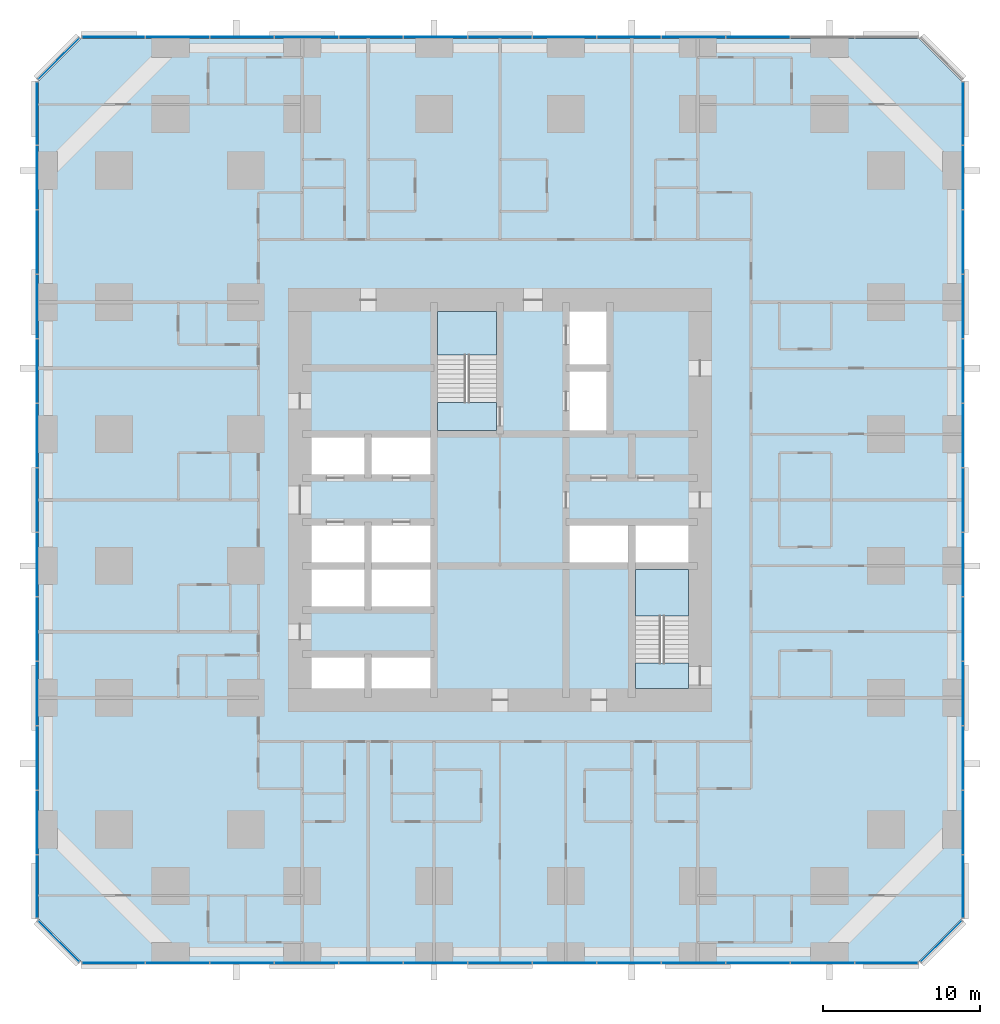
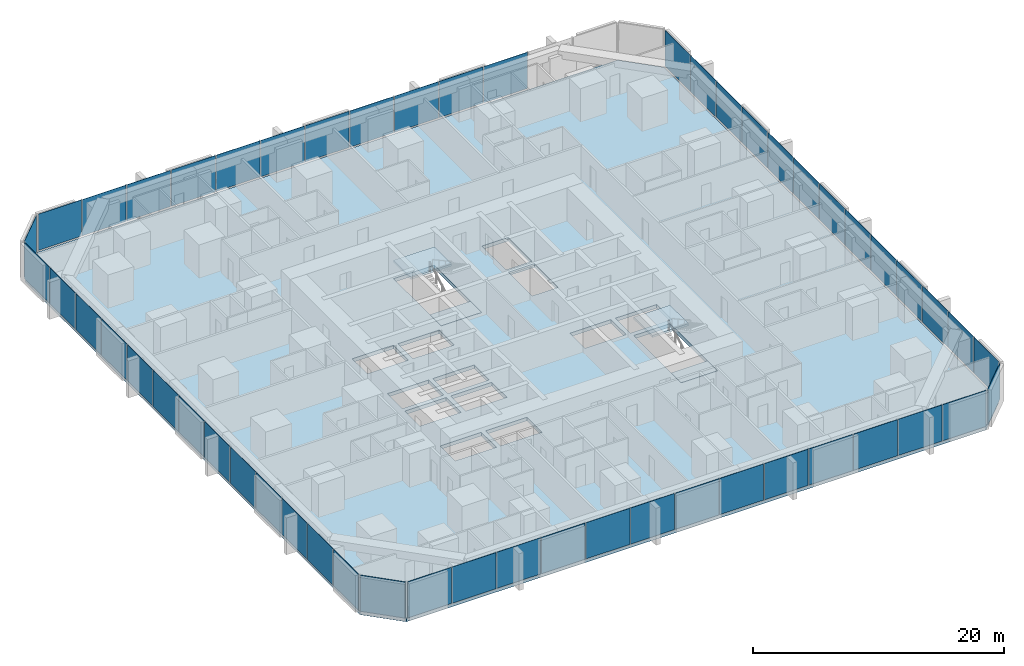
# One storey, part 9 of 17: 53 plates, 5 slabs, 9 elements without a shape of their own.
"""IFC4 building model written with IfcOpenShell, lengths in metres."""

from ifc_helpers import new_model, si_unit, direction, frame, origin, origin_2d, place, context, subcontext, project, spatial, polyline, rectangle, outline, extrude, material, layer, layer_set, type_object, element, aggregate, save


model = new_model("IFC4")

# Units and contexts
model_context = context("Model", 3, precision=1e-05, world=origin(), true_north=direction((0.0, 1.0)))
body_context = subcontext(model_context, "Body", "Model", "MODEL_VIEW")
ifc_project = project(units=[si_unit("LENGTHUNIT", "METRE"), si_unit("AREAUNIT", "SQUARE_METRE"), si_unit("VOLUMEUNIT", "CUBIC_METRE"), si_unit("PLANEANGLEUNIT", "RADIAN"), si_unit("MASSUNIT", "GRAM", prefix="KILO")], contexts=[model_context])

# Site, building, storey
site_placement = place(None, origin())
site = spatial("IfcSite", under=ifc_project, at=site_placement, CompositionType="ELEMENT")
building_placement = place(site_placement, origin())
building = spatial("IfcBuilding", under=site, at=building_placement, Name="Dunama Terrace Hotel", CompositionType="ELEMENT")
storey_placement = place(building_placement, frame((0.0, 0.0, 81.0)))
storey = spatial("IfcBuildingStorey", under=building, at=storey_placement, Name="L20", CompositionType="ELEMENT", Elevation=81.0)

# Curtain wall, plates
ifc_material_1 = material(Name="Aluminium curtain wall system", Category="aluminium")
curtain_wall_type = type_object("IfcCurtainWallType", Name="Unitised fritted glass wall CW-A", PredefinedType="NOTDEFINED", material=ifc_material_1)
curtain_wall_1_placement = place(storey_placement, origin())
curtain_wall_1 = element("IfcCurtainWall", 1, at=curtain_wall_1_placement, inside=storey, type_object=curtain_wall_type, Name="Unitised fritted glass wall CW-A L20", PredefinedType="NOTDEFINED")
ifc_material_2 = material(Name="Laminated glass", Category="glass")
ifc_layer_1 = layer(ifc_material_2, 0.030029296875)
ifc_layer_set_1 = layer_set([ifc_layer_1], Name="CWA clear glass panel")
plate_type_1 = type_object("IfcPlateType", Name="CWA clear glass panel", PredefinedType="CURTAIN_PANEL", material=ifc_layer_set_1)
plate_1_placement = place(storey_placement, frame((8.862060546875, -0.10009765625, 0.074951171875), z_axis=(0.0, 0.0, 1.0), x_axis=(1.0, 0.0, 0.0)))
plate_1 = element("IfcPlate", 2, at=plate_1_placement, type_object=plate_type_1, Name="CWA clear glass panel", PredefinedType="CURTAIN_PANEL", context=body_context, shape_type="SweptSolid", body=[
    extrude(rectangle(XDim=4.042724609375, YDim=0.030029296875, at=origin_2d()), origin(), (0.0, 0.0, 1.0), 3.52490234375),
])
plate_2_placement = place(storey_placement, frame((21.18505859375, -0.10009765625, 0.074951171875), z_axis=(0.0, 0.0, 1.0), x_axis=(1.0, 0.0, 0.0)))
plate_2 = element("IfcPlate", 3, at=plate_2_placement, type_object=plate_type_1, Name="CWA clear glass panel", PredefinedType="CURTAIN_PANEL", context=body_context, shape_type="SweptSolid", body=[
    extrude(rectangle(XDim=4.042724609375, YDim=0.030029296875, at=origin_2d()), origin(), (0.0, 0.0, 1.0), 3.52490234375),
])
plate_3_placement = place(storey_placement, frame((33.508056640625, -0.10009765625, 0.074951171875), z_axis=(0.0, 0.0, 1.0), x_axis=(1.0, 0.0, 0.0)))
plate_3 = element("IfcPlate", 4, at=plate_3_placement, type_object=plate_type_1, Name="CWA clear glass panel", PredefinedType="CURTAIN_PANEL", context=body_context, shape_type="SweptSolid", body=[
    extrude(rectangle(XDim=4.042724609375, YDim=0.030029296875, at=origin_2d()), origin(), (0.0, 0.0, 1.0), 3.52490234375),
])
plate_4_placement = place(storey_placement, frame((45.8310546875, -0.10009765625, 0.074951171875), z_axis=(0.0, 0.0, 1.0), x_axis=(1.0, 0.0, 0.0)))
plate_4 = element("IfcPlate", 5, at=plate_4_placement, type_object=plate_type_1, Name="CWA clear glass panel", PredefinedType="CURTAIN_PANEL", context=body_context, shape_type="SweptSolid", body=[
    extrude(rectangle(XDim=4.042724609375, YDim=0.030029296875, at=origin_2d()), origin(), (0.0, 0.0, 1.0), 3.52490234375),
])

# Curtain wall, plate
curtain_wall_2_placement = place(storey_placement, origin())
curtain_wall_2 = element("IfcCurtainWall", 6, at=curtain_wall_2_placement, inside=storey, type_object=curtain_wall_type, Name="Unitised fritted glass wall CW-A L20", PredefinedType="NOTDEFINED")
plate_5_placement = place(storey_placement, frame((57.52099609375, 1.279052734375, 0.074951171875), z_axis=(0.0, 0.0, 1.0), x_axis=(0.707106781187, 0.707106781187, 0.0)))
plate_5 = element("IfcPlate", 7, at=plate_5_placement, type_object=plate_type_1, Name="CWA clear glass panel", PredefinedType="CURTAIN_PANEL", context=body_context, shape_type="SweptSolid", body=[
    extrude(rectangle(XDim=3.6884765625, YDim=0.030029296875, at=origin_2d()), origin(), (0.0, 0.0, 1.0), 3.52490234375),
])
aggregate(curtain_wall_2, [plate_5])

# Curtain wall, plates
curtain_wall_3_placement = place(storey_placement, origin())
curtain_wall_3 = element("IfcCurtainWall", 8, at=curtain_wall_3_placement, inside=storey, type_object=curtain_wall_type, Name="Unitised fritted glass wall CW-A L20", PredefinedType="NOTDEFINED")
plate_6_placement = place(storey_placement, frame((58.89990234375, 12.968994140625, 0.074951171875), z_axis=(0.0, 0.0, 1.0), x_axis=(0.0, 1.0, 0.0)))
plate_6 = element("IfcPlate", 9, at=plate_6_placement, type_object=plate_type_1, Name="CWA clear glass panel", PredefinedType="CURTAIN_PANEL", context=body_context, shape_type="SweptSolid", body=[
    extrude(rectangle(XDim=4.042724609375, YDim=0.030029296875, at=origin_2d()), origin(), (0.0, 0.0, 1.0), 3.52490234375),
])
plate_7_placement = place(storey_placement, frame((58.89990234375, 25.2919921875, 0.074951171875), z_axis=(0.0, 0.0, 1.0), x_axis=(0.0, 1.0, 0.0)))
plate_7 = element("IfcPlate", 10, at=plate_7_placement, type_object=plate_type_1, Name="CWA clear glass panel", PredefinedType="CURTAIN_PANEL", context=body_context, shape_type="SweptSolid", body=[
    extrude(rectangle(XDim=4.042724609375, YDim=0.030029296875, at=origin_2d()), origin(), (0.0, 0.0, 1.0), 3.52490234375),
])
plate_8_placement = place(storey_placement, frame((58.89990234375, 37.614990234375, 0.074951171875), z_axis=(0.0, 0.0, 1.0), x_axis=(0.0, 1.0, 0.0)))
plate_8 = element("IfcPlate", 11, at=plate_8_placement, type_object=plate_type_1, Name="CWA clear glass panel", PredefinedType="CURTAIN_PANEL", context=body_context, shape_type="SweptSolid", body=[
    extrude(rectangle(XDim=4.042724609375, YDim=0.030029296875, at=origin_2d()), origin(), (0.0, 0.0, 1.0), 3.52490234375),
])
plate_9_placement = place(storey_placement, frame((58.89990234375, 49.93798828125, 0.074951171875), z_axis=(0.0, 0.0, 1.0), x_axis=(0.0, 1.0, 0.0)))
plate_9 = element("IfcPlate", 12, at=plate_9_placement, type_object=plate_type_1, Name="CWA clear glass panel", PredefinedType="CURTAIN_PANEL", context=body_context, shape_type="SweptSolid", body=[
    extrude(rectangle(XDim=4.042724609375, YDim=0.030029296875, at=origin_2d()), origin(), (0.0, 0.0, 1.0), 3.52490234375),
])

curtain_wall_4_placement = place(storey_placement, origin())
curtain_wall_4 = element("IfcCurtainWall", 13, at=curtain_wall_4_placement, inside=storey, type_object=curtain_wall_type, Name="Unitised fritted glass wall CW-A L20", PredefinedType="NOTDEFINED")
plate_10_placement = place(storey_placement, frame((41.722900390625, 58.89990234375, 0.074951171875), z_axis=(0.0, 0.0, 1.0), x_axis=(-1.0, 0.0, 0.0)))
plate_10 = element("IfcPlate", 14, at=plate_10_placement, type_object=plate_type_1, Name="CWA clear glass panel", PredefinedType="CURTAIN_PANEL", context=body_context, shape_type="SweptSolid", body=[
    extrude(rectangle(XDim=4.042724609375, YDim=0.030029296875, at=origin_2d()), origin(), (0.0, 0.0, 1.0), 3.52490234375),
])
plate_11_placement = place(storey_placement, frame((29.39990234375, 58.89990234375, 0.074951171875), z_axis=(0.0, 0.0, 1.0), x_axis=(-1.0, 0.0, 0.0)))
plate_11 = element("IfcPlate", 15, at=plate_11_placement, type_object=plate_type_1, Name="CWA clear glass panel", PredefinedType="CURTAIN_PANEL", context=body_context, shape_type="SweptSolid", body=[
    extrude(rectangle(XDim=4.042724609375, YDim=0.030029296875, at=origin_2d()), origin(), (0.0, 0.0, 1.0), 3.52490234375),
])
plate_12_placement = place(storey_placement, frame((17.076904296875, 58.89990234375, 0.074951171875), z_axis=(0.0, 0.0, 1.0), x_axis=(-1.0, 0.0, 0.0)))
plate_12 = element("IfcPlate", 16, at=plate_12_placement, type_object=plate_type_1, Name="CWA clear glass panel", PredefinedType="CURTAIN_PANEL", context=body_context, shape_type="SweptSolid", body=[
    extrude(rectangle(XDim=4.042724609375, YDim=0.030029296875, at=origin_2d()), origin(), (0.0, 0.0, 1.0), 3.52490234375),
])
plate_13_placement = place(storey_placement, frame((4.77001953125, 58.89990234375, 0.074951171875), z_axis=(0.0, 0.0, 1.0), x_axis=(-1.0, 0.0, 0.0)))
plate_13 = element("IfcPlate", 17, at=plate_13_placement, type_object=plate_type_1, Name="CWA clear glass panel", PredefinedType="CURTAIN_PANEL", context=body_context, shape_type="SweptSolid", body=[
    extrude(rectangle(XDim=4.01025390625, YDim=0.030029296875, at=origin_2d()), origin(), (0.0, 0.0, 1.0), 3.52490234375),
])

curtain_wall_5_placement = place(storey_placement, origin())
curtain_wall_5 = element("IfcCurtainWall", 18, at=curtain_wall_5_placement, inside=storey, type_object=curtain_wall_type, Name="Unitised fritted glass wall CW-A L20", PredefinedType="NOTDEFINED")
plate_14_placement = place(storey_placement, frame((-0.10009765625, 49.93798828125, 0.074951171875), z_axis=(0.0, 0.0, 1.0), x_axis=(0.0, -1.0, 0.0)))
plate_14 = element("IfcPlate", 19, at=plate_14_placement, type_object=plate_type_1, Name="CWA clear glass panel", PredefinedType="CURTAIN_PANEL", context=body_context, shape_type="SweptSolid", body=[
    extrude(rectangle(XDim=4.042724609375, YDim=0.030029296875, at=origin_2d()), origin(), (0.0, 0.0, 1.0), 3.52490234375),
])
plate_15_placement = place(storey_placement, frame((-0.10009765625, 37.614990234375, 0.074951171875), z_axis=(0.0, 0.0, 1.0), x_axis=(0.0, -1.0, 0.0)))
plate_15 = element("IfcPlate", 20, at=plate_15_placement, type_object=plate_type_1, Name="CWA clear glass panel", PredefinedType="CURTAIN_PANEL", context=body_context, shape_type="SweptSolid", body=[
    extrude(rectangle(XDim=4.042724609375, YDim=0.030029296875, at=origin_2d()), origin(), (0.0, 0.0, 1.0), 3.52490234375),
])
plate_16_placement = place(storey_placement, frame((-0.10009765625, 25.2919921875, 0.074951171875), z_axis=(0.0, 0.0, 1.0), x_axis=(0.0, -1.0, 0.0)))
plate_16 = element("IfcPlate", 21, at=plate_16_placement, type_object=plate_type_1, Name="CWA clear glass panel", PredefinedType="CURTAIN_PANEL", context=body_context, shape_type="SweptSolid", body=[
    extrude(rectangle(XDim=4.042724609375, YDim=0.030029296875, at=origin_2d()), origin(), (0.0, 0.0, 1.0), 3.52490234375),
])
plate_17_placement = place(storey_placement, frame((-0.10009765625, 12.968994140625, 0.074951171875), z_axis=(0.0, 0.0, 1.0), x_axis=(0.0, -1.0, 0.0)))
plate_17 = element("IfcPlate", 22, at=plate_17_placement, type_object=plate_type_1, Name="CWA clear glass panel", PredefinedType="CURTAIN_PANEL", context=body_context, shape_type="SweptSolid", body=[
    extrude(rectangle(XDim=4.042724609375, YDim=0.030029296875, at=origin_2d()), origin(), (0.0, 0.0, 1.0), 3.52490234375),
])

# Curtain wall, plate
curtain_wall_6_placement = place(storey_placement, origin())
curtain_wall_6 = element("IfcCurtainWall", 23, at=curtain_wall_6_placement, inside=storey, type_object=curtain_wall_type, Name="Unitised fritted glass wall CW-A L20", PredefinedType="NOTDEFINED")
plate_18_placement = place(storey_placement, frame((1.279052734375, 1.279052734375, 0.074951171875), z_axis=(0.0, 0.0, 1.0), x_axis=(0.707106781187, -0.707106781187, 0.0)))
plate_18 = element("IfcPlate", 24, at=plate_18_placement, type_object=plate_type_1, Name="CWA clear glass panel", PredefinedType="CURTAIN_PANEL", context=body_context, shape_type="SweptSolid", body=[
    extrude(rectangle(XDim=3.6884765625, YDim=0.030029296875, at=origin_2d()), origin(), (0.0, 0.0, 1.0), 3.52490234375),
])
aggregate(curtain_wall_6, [plate_18])

# Plate
ifc_material_3 = material(Name="Fritted laminated glass", Category="glass")
ifc_layer_2 = layer(ifc_material_3, 0.030029296875)
ifc_layer_set_2 = layer_set([ifc_layer_2], Name="CWA fritted glass panel")
plate_type_2 = type_object("IfcPlateType", Name="CWA fritted glass panel", PredefinedType="CURTAIN_PANEL", material=ifc_layer_set_2)
plate_19_placement = place(storey_placement, frame((4.77001953125, -0.10009765625, 0.074951171875), z_axis=(0.0, 0.0, 1.0), x_axis=(1.0, 0.0, 0.0)))
plate_19 = element("IfcPlate", 25, at=plate_19_placement, type_object=plate_type_2, Name="CWA fritted glass panel", PredefinedType="CURTAIN_PANEL", context=body_context, shape_type="SweptSolid", body=[
    extrude(rectangle(XDim=4.01025390625, YDim=0.030029296875, at=origin_2d()), origin(), (0.0, 0.0, 1.0), 3.52490234375),
])

plate_20_placement = place(storey_placement, frame((17.076904296875, -0.10009765625, 0.074951171875), z_axis=(0.0, 0.0, 1.0), x_axis=(1.0, 0.0, 0.0)))
plate_20 = element("IfcPlate", 26, at=plate_20_placement, type_object=plate_type_2, Name="CWA fritted glass panel", PredefinedType="CURTAIN_PANEL", context=body_context, shape_type="SweptSolid", body=[
    extrude(rectangle(XDim=4.042724609375, YDim=0.030029296875, at=origin_2d()), origin(), (0.0, 0.0, 1.0), 3.52490234375),
])

plate_21_placement = place(storey_placement, frame((29.39990234375, -0.10009765625, 0.074951171875), z_axis=(0.0, 0.0, 1.0), x_axis=(1.0, 0.0, 0.0)))
plate_21 = element("IfcPlate", 27, at=plate_21_placement, type_object=plate_type_2, Name="CWA fritted glass panel", PredefinedType="CURTAIN_PANEL", context=body_context, shape_type="SweptSolid", body=[
    extrude(rectangle(XDim=4.042724609375, YDim=0.030029296875, at=origin_2d()), origin(), (0.0, 0.0, 1.0), 3.52490234375),
])

plate_22_placement = place(storey_placement, frame((41.722900390625, -0.10009765625, 0.074951171875), z_axis=(0.0, 0.0, 1.0), x_axis=(1.0, 0.0, 0.0)))
plate_22 = element("IfcPlate", 28, at=plate_22_placement, type_object=plate_type_2, Name="CWA fritted glass panel", PredefinedType="CURTAIN_PANEL", context=body_context, shape_type="SweptSolid", body=[
    extrude(rectangle(XDim=4.042724609375, YDim=0.030029296875, at=origin_2d()), origin(), (0.0, 0.0, 1.0), 3.52490234375),
])

plate_23_placement = place(storey_placement, frame((54.030029296875, -0.10009765625, 0.074951171875), z_axis=(0.0, 0.0, 1.0), x_axis=(1.0, 0.0, 0.0)))
plate_23 = element("IfcPlate", 29, at=plate_23_placement, type_object=plate_type_2, Name="CWA fritted glass panel", PredefinedType="CURTAIN_PANEL", context=body_context, shape_type="SweptSolid", body=[
    extrude(rectangle(XDim=4.01025390625, YDim=0.030029296875, at=origin_2d()), origin(), (0.0, 0.0, 1.0), 3.52490234375),
])

plate_24_placement = place(storey_placement, frame((58.89990234375, 8.862060546875, 0.074951171875), z_axis=(0.0, 0.0, 1.0), x_axis=(0.0, 1.0, 0.0)))
plate_24 = element("IfcPlate", 30, at=plate_24_placement, type_object=plate_type_2, Name="CWA fritted glass panel", PredefinedType="CURTAIN_PANEL", context=body_context, shape_type="SweptSolid", body=[
    extrude(rectangle(XDim=4.042724609375, YDim=0.030029296875, at=origin_2d()), origin(), (0.0, 0.0, 1.0), 3.52490234375),
])

plate_25_placement = place(storey_placement, frame((58.89990234375, 21.18505859375, 0.074951171875), z_axis=(0.0, 0.0, 1.0), x_axis=(0.0, 1.0, 0.0)))
plate_25 = element("IfcPlate", 31, at=plate_25_placement, type_object=plate_type_2, Name="CWA fritted glass panel", PredefinedType="CURTAIN_PANEL", context=body_context, shape_type="SweptSolid", body=[
    extrude(rectangle(XDim=4.042724609375, YDim=0.030029296875, at=origin_2d()), origin(), (0.0, 0.0, 1.0), 3.52490234375),
])

plate_26_placement = place(storey_placement, frame((58.89990234375, 33.508056640625, 0.074951171875), z_axis=(0.0, 0.0, 1.0), x_axis=(0.0, 1.0, 0.0)))
plate_26 = element("IfcPlate", 32, at=plate_26_placement, type_object=plate_type_2, Name="CWA fritted glass panel", PredefinedType="CURTAIN_PANEL", context=body_context, shape_type="SweptSolid", body=[
    extrude(rectangle(XDim=4.042724609375, YDim=0.030029296875, at=origin_2d()), origin(), (0.0, 0.0, 1.0), 3.52490234375),
])

plate_27_placement = place(storey_placement, frame((58.89990234375, 45.8310546875, 0.074951171875), z_axis=(0.0, 0.0, 1.0), x_axis=(0.0, 1.0, 0.0)))
plate_27 = element("IfcPlate", 33, at=plate_27_placement, type_object=plate_type_2, Name="CWA fritted glass panel", PredefinedType="CURTAIN_PANEL", context=body_context, shape_type="SweptSolid", body=[
    extrude(rectangle(XDim=4.042724609375, YDim=0.030029296875, at=origin_2d()), origin(), (0.0, 0.0, 1.0), 3.52490234375),
])

plate_28_placement = place(storey_placement, frame((45.8310546875, 58.89990234375, 0.074951171875), z_axis=(0.0, 0.0, 1.0), x_axis=(-1.0, 0.0, 0.0)))
plate_28 = element("IfcPlate", 34, at=plate_28_placement, type_object=plate_type_2, Name="CWA fritted glass panel", PredefinedType="CURTAIN_PANEL", context=body_context, shape_type="SweptSolid", body=[
    extrude(rectangle(XDim=4.042724609375, YDim=0.030029296875, at=origin_2d()), origin(), (0.0, 0.0, 1.0), 3.52490234375),
])

plate_29_placement = place(storey_placement, frame((33.508056640625, 58.89990234375, 0.074951171875), z_axis=(0.0, 0.0, 1.0), x_axis=(-1.0, 0.0, 0.0)))
plate_29 = element("IfcPlate", 35, at=plate_29_placement, type_object=plate_type_2, Name="CWA fritted glass panel", PredefinedType="CURTAIN_PANEL", context=body_context, shape_type="SweptSolid", body=[
    extrude(rectangle(XDim=4.042724609375, YDim=0.030029296875, at=origin_2d()), origin(), (0.0, 0.0, 1.0), 3.52490234375),
])

plate_30_placement = place(storey_placement, frame((21.18505859375, 58.89990234375, 0.074951171875), z_axis=(0.0, 0.0, 1.0), x_axis=(-1.0, 0.0, 0.0)))
plate_30 = element("IfcPlate", 36, at=plate_30_placement, type_object=plate_type_2, Name="CWA fritted glass panel", PredefinedType="CURTAIN_PANEL", context=body_context, shape_type="SweptSolid", body=[
    extrude(rectangle(XDim=4.042724609375, YDim=0.030029296875, at=origin_2d()), origin(), (0.0, 0.0, 1.0), 3.52490234375),
])

plate_31_placement = place(storey_placement, frame((8.862060546875, 58.89990234375, 0.074951171875), z_axis=(0.0, 0.0, 1.0), x_axis=(-1.0, 0.0, 0.0)))
plate_31 = element("IfcPlate", 37, at=plate_31_placement, type_object=plate_type_2, Name="CWA fritted glass panel", PredefinedType="CURTAIN_PANEL", context=body_context, shape_type="SweptSolid", body=[
    extrude(rectangle(XDim=4.042724609375, YDim=0.030029296875, at=origin_2d()), origin(), (0.0, 0.0, 1.0), 3.52490234375),
])

plate_32_placement = place(storey_placement, frame((-0.10009765625, 54.030029296875, 0.074951171875), z_axis=(0.0, 0.0, 1.0), x_axis=(0.0, -1.0, 0.0)))
plate_32 = element("IfcPlate", 38, at=plate_32_placement, type_object=plate_type_2, Name="CWA fritted glass panel", PredefinedType="CURTAIN_PANEL", context=body_context, shape_type="SweptSolid", body=[
    extrude(rectangle(XDim=4.01025390625, YDim=0.030029296875, at=origin_2d()), origin(), (0.0, 0.0, 1.0), 3.52490234375),
])

plate_33_placement = place(storey_placement, frame((-0.10009765625, 41.722900390625, 0.074951171875), z_axis=(0.0, 0.0, 1.0), x_axis=(0.0, -1.0, 0.0)))
plate_33 = element("IfcPlate", 39, at=plate_33_placement, type_object=plate_type_2, Name="CWA fritted glass panel", PredefinedType="CURTAIN_PANEL", context=body_context, shape_type="SweptSolid", body=[
    extrude(rectangle(XDim=4.042724609375, YDim=0.030029296875, at=origin_2d()), origin(), (0.0, 0.0, 1.0), 3.52490234375),
])

plate_34_placement = place(storey_placement, frame((-0.10009765625, 29.39990234375, 0.074951171875), z_axis=(0.0, 0.0, 1.0), x_axis=(0.0, -1.0, 0.0)))
plate_34 = element("IfcPlate", 40, at=plate_34_placement, type_object=plate_type_2, Name="CWA fritted glass panel", PredefinedType="CURTAIN_PANEL", context=body_context, shape_type="SweptSolid", body=[
    extrude(rectangle(XDim=4.042724609375, YDim=0.030029296875, at=origin_2d()), origin(), (0.0, 0.0, 1.0), 3.52490234375),
])

plate_35_placement = place(storey_placement, frame((-0.10009765625, 17.076904296875, 0.074951171875), z_axis=(0.0, 0.0, 1.0), x_axis=(0.0, -1.0, 0.0)))
plate_35 = element("IfcPlate", 41, at=plate_35_placement, type_object=plate_type_2, Name="CWA fritted glass panel", PredefinedType="CURTAIN_PANEL", context=body_context, shape_type="SweptSolid", body=[
    extrude(rectangle(XDim=4.042724609375, YDim=0.030029296875, at=origin_2d()), origin(), (0.0, 0.0, 1.0), 3.52490234375),
])

plate_36_placement = place(storey_placement, frame((-0.10009765625, 4.77001953125, 0.074951171875), z_axis=(0.0, 0.0, 1.0), x_axis=(0.0, -1.0, 0.0)))
plate_36 = element("IfcPlate", 42, at=plate_36_placement, type_object=plate_type_2, Name="CWA fritted glass panel", PredefinedType="CURTAIN_PANEL", context=body_context, shape_type="SweptSolid", body=[
    extrude(rectangle(XDim=4.01025390625, YDim=0.030029296875, at=origin_2d()), origin(), (0.0, 0.0, 1.0), 3.52490234375),
])

ifc_material_4 = material(Name="Laminated glass", Category="glass")
ifc_layer_3 = layer(ifc_material_4, 0.030029296875)
ifc_layer_set_3 = layer_set([ifc_layer_3], Name="CWA operable glass panel")
plate_type_3 = type_object("IfcPlateType", Name="CWA operable glass panel", PredefinedType="CURTAIN_PANEL", material=ifc_layer_set_3)
plate_37_placement = place(storey_placement, frame((12.968994140625, -0.10009765625, 0.074951171875), z_axis=(0.0, 0.0, 1.0), x_axis=(1.0, 0.0, 0.0)))
plate_37 = element("IfcPlate", 43, at=plate_37_placement, type_object=plate_type_3, Name="CWA operable glass panel", PredefinedType="CURTAIN_PANEL", context=body_context, shape_type="SweptSolid", body=[
    extrude(rectangle(XDim=4.042724609375, YDim=0.030029296875, at=origin_2d()), origin(), (0.0, 0.0, 1.0), 3.52490234375),
])

plate_38_placement = place(storey_placement, frame((25.2919921875, -0.10009765625, 0.074951171875), z_axis=(0.0, 0.0, 1.0), x_axis=(1.0, 0.0, 0.0)))
plate_38 = element("IfcPlate", 44, at=plate_38_placement, type_object=plate_type_3, Name="CWA operable glass panel", PredefinedType="CURTAIN_PANEL", context=body_context, shape_type="SweptSolid", body=[
    extrude(rectangle(XDim=4.042724609375, YDim=0.030029296875, at=origin_2d()), origin(), (0.0, 0.0, 1.0), 3.52490234375),
])

plate_39_placement = place(storey_placement, frame((37.614990234375, -0.10009765625, 0.074951171875), z_axis=(0.0, 0.0, 1.0), x_axis=(1.0, 0.0, 0.0)))
plate_39 = element("IfcPlate", 45, at=plate_39_placement, type_object=plate_type_3, Name="CWA operable glass panel", PredefinedType="CURTAIN_PANEL", context=body_context, shape_type="SweptSolid", body=[
    extrude(rectangle(XDim=4.042724609375, YDim=0.030029296875, at=origin_2d()), origin(), (0.0, 0.0, 1.0), 3.52490234375),
])

plate_40_placement = place(storey_placement, frame((49.93798828125, -0.10009765625, 0.074951171875), z_axis=(0.0, 0.0, 1.0), x_axis=(1.0, 0.0, 0.0)))
plate_40 = element("IfcPlate", 46, at=plate_40_placement, type_object=plate_type_3, Name="CWA operable glass panel", PredefinedType="CURTAIN_PANEL", context=body_context, shape_type="SweptSolid", body=[
    extrude(rectangle(XDim=4.042724609375, YDim=0.030029296875, at=origin_2d()), origin(), (0.0, 0.0, 1.0), 3.52490234375),
])

aggregate(curtain_wall_1, [plate_19, plate_1, plate_37, plate_20, plate_2, plate_38, plate_21, plate_3, plate_39, plate_22, plate_4, plate_40, plate_23])

plate_41_placement = place(storey_placement, frame((58.89990234375, 4.77001953125, 0.074951171875), z_axis=(0.0, 0.0, 1.0), x_axis=(0.0, 1.0, 0.0)))
plate_41 = element("IfcPlate", 47, at=plate_41_placement, type_object=plate_type_3, Name="CWA operable glass panel", PredefinedType="CURTAIN_PANEL", context=body_context, shape_type="SweptSolid", body=[
    extrude(rectangle(XDim=4.01025390625, YDim=0.030029296875, at=origin_2d()), origin(), (0.0, 0.0, 1.0), 3.52490234375),
])

plate_42_placement = place(storey_placement, frame((58.89990234375, 17.076904296875, 0.074951171875), z_axis=(0.0, 0.0, 1.0), x_axis=(0.0, 1.0, 0.0)))
plate_42 = element("IfcPlate", 48, at=plate_42_placement, type_object=plate_type_3, Name="CWA operable glass panel", PredefinedType="CURTAIN_PANEL", context=body_context, shape_type="SweptSolid", body=[
    extrude(rectangle(XDim=4.042724609375, YDim=0.030029296875, at=origin_2d()), origin(), (0.0, 0.0, 1.0), 3.52490234375),
])

plate_43_placement = place(storey_placement, frame((58.89990234375, 29.39990234375, 0.074951171875), z_axis=(0.0, 0.0, 1.0), x_axis=(0.0, 1.0, 0.0)))
plate_43 = element("IfcPlate", 49, at=plate_43_placement, type_object=plate_type_3, Name="CWA operable glass panel", PredefinedType="CURTAIN_PANEL", context=body_context, shape_type="SweptSolid", body=[
    extrude(rectangle(XDim=4.042724609375, YDim=0.030029296875, at=origin_2d()), origin(), (0.0, 0.0, 1.0), 3.52490234375),
])

plate_44_placement = place(storey_placement, frame((58.89990234375, 41.722900390625, 0.074951171875), z_axis=(0.0, 0.0, 1.0), x_axis=(0.0, 1.0, 0.0)))
plate_44 = element("IfcPlate", 50, at=plate_44_placement, type_object=plate_type_3, Name="CWA operable glass panel", PredefinedType="CURTAIN_PANEL", context=body_context, shape_type="SweptSolid", body=[
    extrude(rectangle(XDim=4.042724609375, YDim=0.030029296875, at=origin_2d()), origin(), (0.0, 0.0, 1.0), 3.52490234375),
])

plate_45_placement = place(storey_placement, frame((58.89990234375, 54.030029296875, 0.074951171875), z_axis=(0.0, 0.0, 1.0), x_axis=(0.0, 1.0, 0.0)))
plate_45 = element("IfcPlate", 51, at=plate_45_placement, type_object=plate_type_3, Name="CWA operable glass panel", PredefinedType="CURTAIN_PANEL", context=body_context, shape_type="SweptSolid", body=[
    extrude(rectangle(XDim=4.01025390625, YDim=0.030029296875, at=origin_2d()), origin(), (0.0, 0.0, 1.0), 3.52490234375),
])

aggregate(curtain_wall_3, [plate_41, plate_24, plate_6, plate_42, plate_25, plate_7, plate_43, plate_26, plate_8, plate_44, plate_27, plate_9, plate_45])

plate_46_placement = place(storey_placement, frame((37.614990234375, 58.89990234375, 0.074951171875), z_axis=(0.0, 0.0, 1.0), x_axis=(-1.0, 0.0, 0.0)))
plate_46 = element("IfcPlate", 52, at=plate_46_placement, type_object=plate_type_3, Name="CWA operable glass panel", PredefinedType="CURTAIN_PANEL", context=body_context, shape_type="SweptSolid", body=[
    extrude(rectangle(XDim=4.042724609375, YDim=0.030029296875, at=origin_2d()), origin(), (0.0, 0.0, 1.0), 3.52490234375),
])

plate_47_placement = place(storey_placement, frame((25.2919921875, 58.89990234375, 0.074951171875), z_axis=(0.0, 0.0, 1.0), x_axis=(-1.0, 0.0, 0.0)))
plate_47 = element("IfcPlate", 53, at=plate_47_placement, type_object=plate_type_3, Name="CWA operable glass panel", PredefinedType="CURTAIN_PANEL", context=body_context, shape_type="SweptSolid", body=[
    extrude(rectangle(XDim=4.042724609375, YDim=0.030029296875, at=origin_2d()), origin(), (0.0, 0.0, 1.0), 3.52490234375),
])

plate_48_placement = place(storey_placement, frame((12.968994140625, 58.89990234375, 0.074951171875), z_axis=(0.0, 0.0, 1.0), x_axis=(-1.0, 0.0, 0.0)))
plate_48 = element("IfcPlate", 54, at=plate_48_placement, type_object=plate_type_3, Name="CWA operable glass panel", PredefinedType="CURTAIN_PANEL", context=body_context, shape_type="SweptSolid", body=[
    extrude(rectangle(XDim=4.042724609375, YDim=0.030029296875, at=origin_2d()), origin(), (0.0, 0.0, 1.0), 3.52490234375),
])

aggregate(curtain_wall_4, [plate_28, plate_10, plate_46, plate_29, plate_11, plate_47, plate_30, plate_12, plate_48, plate_31, plate_13])

# Curtain wall, plate
curtain_wall_7_placement = place(storey_placement, origin())
curtain_wall_7 = element("IfcCurtainWall", 55, at=curtain_wall_7_placement, inside=storey, type_object=curtain_wall_type, Name="Unitised fritted glass wall CW-A L20", PredefinedType="NOTDEFINED")
plate_49_placement = place(storey_placement, frame((1.279052734375, 57.52099609375, 0.074951171875), z_axis=(0.0, 0.0, 1.0), x_axis=(-0.707106781187, -0.707106781187, 0.0)))
plate_49 = element("IfcPlate", 56, at=plate_49_placement, type_object=plate_type_3, Name="CWA operable glass panel", PredefinedType="CURTAIN_PANEL", context=body_context, shape_type="SweptSolid", body=[
    extrude(rectangle(XDim=3.6884765625, YDim=0.030029296875, at=origin_2d()), origin(), (0.0, 0.0, 1.0), 3.52490234375),
])
aggregate(curtain_wall_7, [plate_49])

# Plate
plate_50_placement = place(storey_placement, frame((-0.10009765625, 45.8310546875, 0.074951171875), z_axis=(0.0, 0.0, 1.0), x_axis=(0.0, -1.0, 0.0)))
plate_50 = element("IfcPlate", 57, at=plate_50_placement, type_object=plate_type_3, Name="CWA operable glass panel", PredefinedType="CURTAIN_PANEL", context=body_context, shape_type="SweptSolid", body=[
    extrude(rectangle(XDim=4.042724609375, YDim=0.030029296875, at=origin_2d()), origin(), (0.0, 0.0, 1.0), 3.52490234375),
])

plate_51_placement = place(storey_placement, frame((-0.10009765625, 33.508056640625, 0.074951171875), z_axis=(0.0, 0.0, 1.0), x_axis=(0.0, -1.0, 0.0)))
plate_51 = element("IfcPlate", 58, at=plate_51_placement, type_object=plate_type_3, Name="CWA operable glass panel", PredefinedType="CURTAIN_PANEL", context=body_context, shape_type="SweptSolid", body=[
    extrude(rectangle(XDim=4.042724609375, YDim=0.030029296875, at=origin_2d()), origin(), (0.0, 0.0, 1.0), 3.52490234375),
])

plate_52_placement = place(storey_placement, frame((-0.10009765625, 21.18505859375, 0.074951171875), z_axis=(0.0, 0.0, 1.0), x_axis=(0.0, -1.0, 0.0)))
plate_52 = element("IfcPlate", 59, at=plate_52_placement, type_object=plate_type_3, Name="CWA operable glass panel", PredefinedType="CURTAIN_PANEL", context=body_context, shape_type="SweptSolid", body=[
    extrude(rectangle(XDim=4.042724609375, YDim=0.030029296875, at=origin_2d()), origin(), (0.0, 0.0, 1.0), 3.52490234375),
])

plate_53_placement = place(storey_placement, frame((-0.10009765625, 8.862060546875, 0.074951171875), z_axis=(0.0, 0.0, 1.0), x_axis=(0.0, -1.0, 0.0)))
plate_53 = element("IfcPlate", 60, at=plate_53_placement, type_object=plate_type_3, Name="CWA operable glass panel", PredefinedType="CURTAIN_PANEL", context=body_context, shape_type="SweptSolid", body=[
    extrude(rectangle(XDim=4.042724609375, YDim=0.030029296875, at=origin_2d()), origin(), (0.0, 0.0, 1.0), 3.52490234375),
])

aggregate(curtain_wall_5, [plate_32, plate_14, plate_50, plate_33, plate_15, plate_51, plate_34, plate_16, plate_52, plate_35, plate_17, plate_53, plate_36])

# Slab
ifc_material_5 = material(Name="Concrete C40/50", Category="concrete")
ifc_layer_4 = layer(ifc_material_5, 0.35009765625)
ifc_layer_set_4 = layer_set([ifc_layer_4], Name="Flat plate 350")
slab_type_1 = type_object("IfcSlabType", Name="Flat plate 350", PredefinedType="FLOOR", material=ifc_layer_set_4)
slab_1_placement = place(storey_placement, frame((0.0, 0.0, -0.35009765625)))
element("IfcSlab", 61, at=slab_1_placement, inside=storey, type_object=slab_type_1, Name="Floor slab L20", PredefinedType="FLOOR", context=body_context, shape_type="SweptSolid", body=[
    extrude(outline(polyline([(2.699951171875, 0.0), (56.10009765625, 0.0), (58.800048828125, 2.699951171875), (58.800048828125, 56.10009765625), (56.10009765625, 58.800048828125), (2.699951171875, 58.800048828125), (0.0, 56.10009765625), (0.0, 2.699951171875), (2.699951171875, 0.0)]), holes=[polyline([(20.800048828125, 25.39990234375), (20.800048828125, 27.800048828125), (17.0, 27.800048828125), (17.0, 25.39990234375), (20.800048828125, 25.39990234375)]), polyline([(25.0, 25.39990234375), (25.0, 27.800048828125), (21.199951171875, 27.800048828125), (21.199951171875, 25.39990234375), (25.0, 25.39990234375)]), polyline([(20.800048828125, 31.0), (20.800048828125, 33.39990234375), (17.0, 33.39990234375), (17.0, 31.0), (20.800048828125, 31.0)]), polyline([(25.0, 31.0), (25.0, 33.39990234375), (21.199951171875, 33.39990234375), (21.199951171875, 31.0), (25.0, 31.0)]), polyline([(37.60009765625, 25.39990234375), (37.60009765625, 27.800048828125), (33.800048828125, 27.800048828125), (33.800048828125, 25.39990234375), (37.60009765625, 25.39990234375)]), polyline([(41.800048828125, 25.39990234375), (41.800048828125, 27.800048828125), (38.0, 27.800048828125), (38.0, 25.39990234375), (41.800048828125, 25.39990234375)]), polyline([(20.800048828125, 17.0), (20.800048828125, 19.39990234375), (17.0, 19.39990234375), (17.0, 17.0), (20.800048828125, 17.0)]), polyline([(25.0, 17.0), (25.0, 19.39990234375), (21.199951171875, 19.39990234375), (21.199951171875, 17.0), (25.0, 17.0)]), polyline([(20.800048828125, 22.60009765625), (20.800048828125, 25.0), (17.0, 25.0), (17.0, 22.60009765625), (20.800048828125, 22.60009765625)]), polyline([(25.0, 22.60009765625), (25.0, 25.0), (21.199951171875, 25.0), (21.199951171875, 22.60009765625), (25.0, 22.60009765625)]), polyline([(36.199951171875, 38.0), (36.199951171875, 41.800048828125), (33.800048828125, 41.800048828125), (33.800048828125, 38.0), (36.199951171875, 38.0)]), polyline([(36.199951171875, 33.800048828125), (36.199951171875, 37.60009765625), (33.800048828125, 37.60009765625), (33.800048828125, 33.800048828125), (36.199951171875, 33.800048828125)]), polyline([(29.175048828125, 33.824951171875), (29.175048828125, 41.39990234375), (25.425048828125, 41.39990234375), (25.425048828125, 33.824951171875), (29.175048828125, 33.824951171875)]), polyline([(41.39990234375, 17.39990234375), (41.39990234375, 24.97509765625), (38.050048828125, 24.97509765625), (38.050048828125, 17.39990234375), (41.39990234375, 17.39990234375)])]), origin(), (0.0, 0.0, 1.0), 0.35009765625),
])

# Stair, slabs
ifc_material_6 = material(Name="Concrete C40/50", Category="concrete")
stair_type_1 = type_object("IfcStairType", Name="Stair ST1-3600-1800", PredefinedType="HALF_TURN_STAIR", material=ifc_material_6)
stair_1_placement = place(storey_placement, origin())
stair_1 = element("IfcStair", 62, at=stair_1_placement, inside=storey, type_object=stair_type_1, Name="Stair ST1 L20", PredefinedType="HALF_TURN_STAIR")
ifc_material_7 = material(Name="Concrete C40/50", Category="concrete")
ifc_layer_5 = layer(ifc_material_7, 0.199951171875)
ifc_layer_set_5 = layer_set([ifc_layer_5], Name="Stair landing 200")
slab_type_2 = type_object("IfcSlabType", Name="Stair landing 200", PredefinedType="LANDING", material=ifc_layer_set_5)
slab_2_placement = place(storey_placement, frame((0.0, 0.0, -0.199951171875)))
slab_2 = element("IfcSlab", 63, at=slab_2_placement, type_object=slab_type_2, Name="ST1 landing 1, type S10", PredefinedType="LANDING", context=body_context, shape_type="SweptSolid", body=[
    extrude(outline(polyline([(25.425048828125, 33.824951171875), (29.175048828125, 33.824951171875), (29.175048828125, 35.625), (25.425048828125, 35.625), (25.425048828125, 33.824951171875)])), origin(), (0.0, 0.0, 1.0), 0.199951171875),
])
slab_3_placement = place(storey_placement, frame((0.0, 0.0, 1.60009765625)))
slab_3 = element("IfcSlab", 64, at=slab_3_placement, type_object=slab_type_2, Name="ST1 landing 2, type S10", PredefinedType="LANDING", context=body_context, shape_type="SweptSolid", body=[
    extrude(outline(polyline([(25.425048828125, 38.625), (29.175048828125, 38.625), (29.175048828125, 41.39990234375), (25.425048828125, 41.39990234375), (25.425048828125, 38.625)])), origin(), (0.0, 0.0, 1.0), 0.199951171875),
])
aggregate(stair_1, [slab_2, slab_3])

ifc_material_8 = material(Name="Concrete C40/50", Category="concrete")
stair_type_2 = type_object("IfcStairType", Name="Stair ST2-3600-1600", PredefinedType="HALF_TURN_STAIR", material=ifc_material_8)
stair_2_placement = place(storey_placement, origin())
stair_2 = element("IfcStair", 65, at=stair_2_placement, inside=storey, type_object=stair_type_2, Name="Stair ST2 L20", PredefinedType="HALF_TURN_STAIR")
slab_4_placement = place(storey_placement, frame((0.0, 0.0, -0.199951171875)))
slab_4 = element("IfcSlab", 66, at=slab_4_placement, type_object=slab_type_2, Name="ST2 landing 1, type S10", PredefinedType="LANDING", context=body_context, shape_type="SweptSolid", body=[
    extrude(outline(polyline([(38.050048828125, 17.39990234375), (41.39990234375, 17.39990234375), (41.39990234375, 19.0), (38.050048828125, 19.0), (38.050048828125, 17.39990234375)])), origin(), (0.0, 0.0, 1.0), 0.199951171875),
])
slab_5_placement = place(storey_placement, frame((0.0, 0.0, 1.60009765625)))
slab_5 = element("IfcSlab", 67, at=slab_5_placement, type_object=slab_type_2, Name="ST2 landing 2, type S10", PredefinedType="LANDING", context=body_context, shape_type="SweptSolid", body=[
    extrude(outline(polyline([(38.050048828125, 22.0), (41.39990234375, 22.0), (41.39990234375, 24.97509765625), (38.050048828125, 24.97509765625), (38.050048828125, 22.0)])), origin(), (0.0, 0.0, 1.0), 0.199951171875),
])
aggregate(stair_2, [slab_4, slab_5])

save(model, "model.ifc")
